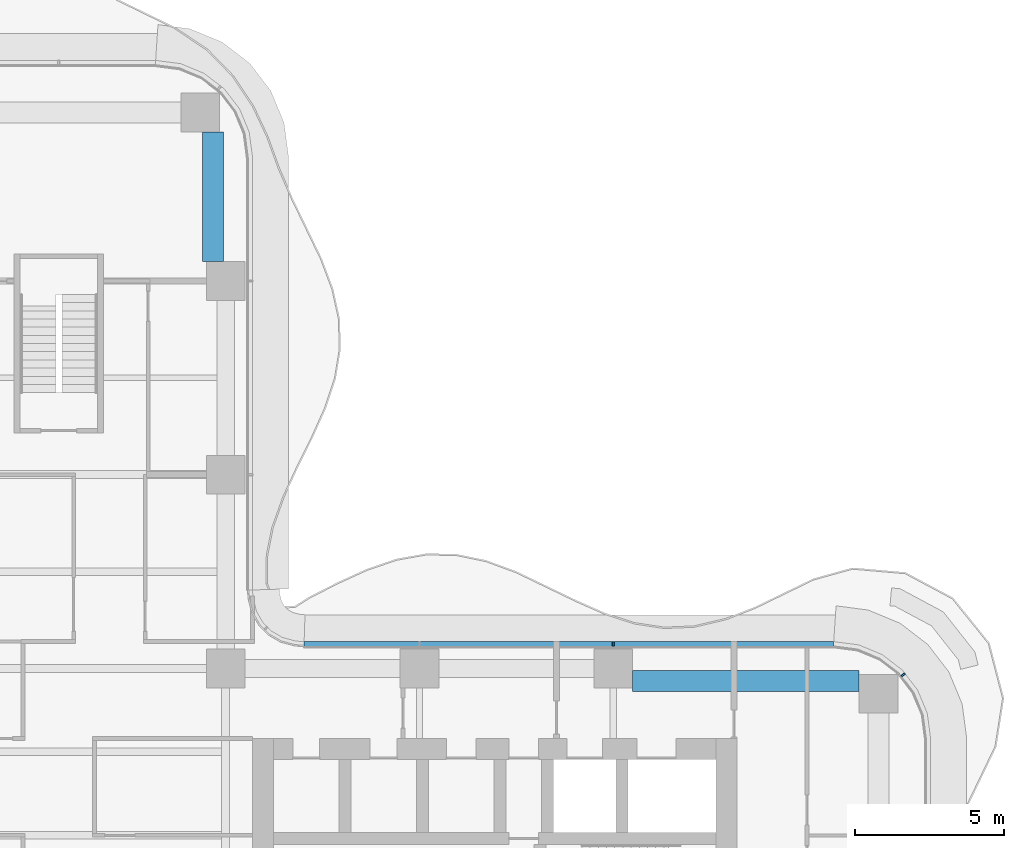
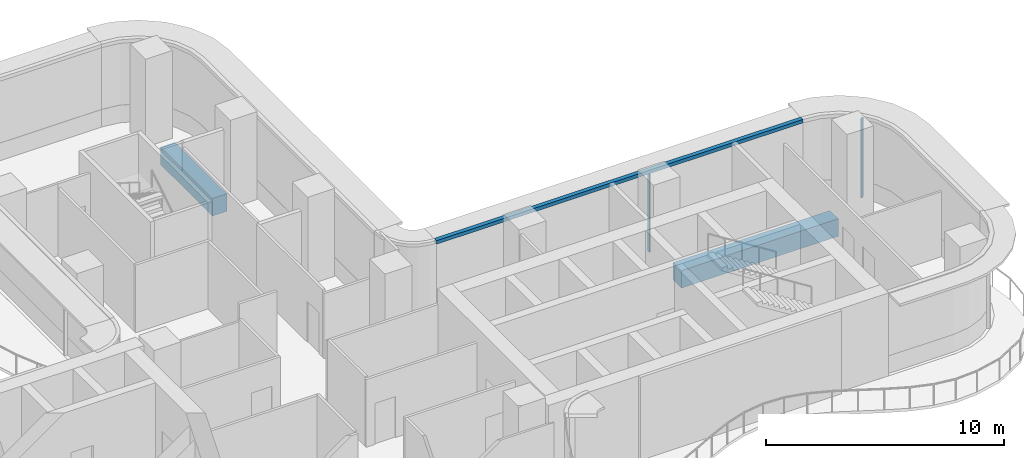
# One storey, part 11 of 21: 3 members, 2 beams, 2 elements without a shape of their own.
"""IFC4 building model written with IfcOpenShell, lengths in metres."""

import ifcopenshell
import ifcopenshell.guid

model = None  # the IFC model being written
_history = None  # IfcOwnerHistory: only IFC2X3 demands one
_inside = {}  # id of a spatial element -> (the spatial element, [elements in it])
_under = {}  # id of a project, library or spatial element -> (it, [spatial elements below it])
_declared = {}  # id of a project -> (the project, [libraries it declares])
_typed = {}  # id of a type object -> (the type object, [elements of that type])
_made_of = {}  # id of a material, layer set ... -> (it, [elements and type objects made of it])


def new_model(schema):
    """Start an empty IFC model of exactly this schema.

    Asked for "IFC4X3", IfcOpenShell would pick the latest addendum, in which some entities
    have other attributes; the version numbers below select the first issue.
    IFC2X3 requires an IfcOwnerHistory on every rooted entity: one is made here for all.
    """
    global model, _history
    if schema == "IFC4X3":
        model = ifcopenshell.file(schema_version=(4, 3, 0, 0))
    else:
        model = ifcopenshell.file(schema=schema)
    _inside.clear()
    _under.clear()
    _declared.clear()
    _typed.clear()
    _made_of.clear()
    _history = None
    if model.schema == "IFC2X3":
        org = make("IfcOrganization", Name="unknown")
        user = make(
            "IfcPersonAndOrganization",
            ThePerson=make("IfcPerson", FamilyName="unknown"),
            TheOrganization=org,
        )
        app = make(
            "IfcApplication",
            ApplicationDeveloper=org,
            Version="unknown",
            ApplicationFullName="unknown",
            ApplicationIdentifier="unknown",
        )
        _history = make(
            "IfcOwnerHistory",
            OwningUser=user,
            OwningApplication=app,
            ChangeAction="ADDED",
            CreationDate=0,
        )
    return model


def make(cls, **values):
    """One entity of the class cls with the attributes given. An attribute that is None is left unset."""
    return model.create_entity(
        cls, **{name: value for name, value in values.items() if value is not None}
    )


def rooted(cls, **values):
    """An entity with a GlobalId (a new one), such as an element, a storey or a relation."""
    return make(cls, GlobalId=ifcopenshell.guid.new(), OwnerHistory=_history, **values)


def si_unit(unit_type, name, prefix=None):
    """IfcSIUnit, for example si_unit("LENGTHUNIT", "METRE", prefix="MILLI")."""
    return make("IfcSIUnit", UnitType=unit_type, Prefix=prefix, Name=name)


def assignment(units):
    """IfcUnitAssignment: the units of a project."""
    return None if units is None else make("IfcUnitAssignment", Units=units)


def point(xyz):
    """IfcCartesianPoint."""
    return None if xyz is None else make("IfcCartesianPoint", Coordinates=xyz)


def direction(xyz):
    """IfcDirection."""
    return None if xyz is None else make("IfcDirection", DirectionRatios=xyz)


def frame(location, z_axis=None, x_axis=None):
    """IfcAxis2Placement3D, a coordinate frame: its origin and axes. An axis left out is left unset."""
    return make(
        "IfcAxis2Placement3D",
        Location=point(location),
        Axis=direction(z_axis),
        RefDirection=direction(x_axis),
    )


def frame_2d(location, x_axis=None):
    """IfcAxis2Placement2D, a coordinate frame in the plane: its origin and x axis."""
    return make(
        "IfcAxis2Placement2D", Location=point(location), RefDirection=direction(x_axis)
    )


def origin():
    """The frame at (0, 0, 0) with its axes left unset."""
    return frame((0.0, 0.0, 0.0))


def origin_2d():
    """The frame at (0, 0) in the plane with its x axis left unset."""
    return frame_2d((0.0, 0.0))


def place(relative_to, where):
    """IfcLocalPlacement: puts the frame where relative to a parent placement (None: the world)."""
    return make(
        "IfcLocalPlacement", PlacementRelTo=relative_to, RelativePlacement=where
    )


def context(
    kind, dimensions, precision=None, world=None, true_north=None, identifier=None
):
    """IfcGeometricRepresentationContext, for example the 3D "Model" context."""
    return make(
        "IfcGeometricRepresentationContext",
        ContextIdentifier=identifier,
        ContextType=kind,
        CoordinateSpaceDimension=dimensions,
        Precision=precision,
        WorldCoordinateSystem=world,
        TrueNorth=true_north,
    )


def subcontext(parent, identifier, kind, view, scale=None):
    """IfcGeometricRepresentationSubContext, for example "Body" below "Model"."""
    return make(
        "IfcGeometricRepresentationSubContext",
        ContextIdentifier=identifier,
        ContextType=kind,
        ParentContext=parent,
        TargetScale=scale,
        TargetView=view,
    )


def project(units=None, contexts=None):
    """IfcProject with its units and contexts."""
    return rooted(
        "IfcProject",
        Name="project",
        RepresentationContexts=contexts,
        UnitsInContext=assignment(units),
    )


def spatial(cls, under=None, at=None, **own):
    """A site, building, storey or space (cls), placed at a placement, below another one or the project."""
    s = rooted(cls, ObjectPlacement=at, **own)
    if under is not None:
        _under.setdefault(under.id(), (under, []))[1].append(s)
    return s


def polyline(points):
    """IfcPolyline through the points."""
    return make("IfcPolyline", Points=[point(p) for p in points])


def profile(cls, at=None, kind="AREA", **sizes):
    """A parametric profile (cls). Its sizes go by their IFC names, for example OverallWidth=200.0."""
    return make(cls, ProfileType=kind, Position=at, **sizes)


def rectangle(**sizes):
    """IfcRectangleProfileDef."""
    return profile("IfcRectangleProfileDef", **sizes)


def outline(outer, holes=None, kind="AREA"):
    """IfcArbitraryClosedProfileDef: a profile drawn as a closed curve; with holes, ...WithVoids."""
    if holes is None:
        return make("IfcArbitraryClosedProfileDef", ProfileType=kind, OuterCurve=outer)
    return make(
        "IfcArbitraryProfileDefWithVoids",
        ProfileType=kind,
        OuterCurve=outer,
        InnerCurves=holes,
    )


def extrude(swept, where, along, depth):
    """IfcExtrudedAreaSolid: the profile swept, set in the frame where, extruded along a direction by depth."""
    return make(
        "IfcExtrudedAreaSolid",
        SweptArea=swept,
        Position=where,
        ExtrudedDirection=direction(along),
        Depth=depth,
    )


def shape(context_of_items, identifier, shape_type, items):
    """IfcShapeRepresentation: the items that make up one representation, for example the "Body"."""
    return make(
        "IfcShapeRepresentation",
        ContextOfItems=context_of_items,
        RepresentationIdentifier=identifier,
        RepresentationType=shape_type,
        Items=items,
    )


def source(mapping_origin, context_of_items, identifier, shape_type, items):
    """IfcRepresentationMap: a shape defined once, which mapped items show again and again."""
    return make(
        "IfcRepresentationMap",
        MappingOrigin=mapping_origin,
        MappedRepresentation=shape(context_of_items, identifier, shape_type, items),
    )


def transform(
    local_origin,
    x_axis=None,
    y_axis=None,
    z_axis=None,
    scale=None,
    scale2=None,
    scale3=None,
    uniform=True,
):
    """IfcCartesianTransformationOperator3D, or its non-uniform kind. x_axis, y_axis, z_axis: its Axis1, 2, 3."""
    if uniform:
        return make(
            "IfcCartesianTransformationOperator3D",
            Axis1=direction(x_axis),
            Axis2=direction(y_axis),
            LocalOrigin=point(local_origin),
            Scale=scale,
            Axis3=direction(z_axis),
        )
    return make(
        "IfcCartesianTransformationOperator3DnonUniform",
        Axis1=direction(x_axis),
        Axis2=direction(y_axis),
        LocalOrigin=point(local_origin),
        Scale=scale,
        Axis3=direction(z_axis),
        Scale2=scale2,
        Scale3=scale3,
    )


def mapped(mapping_source, mapping_target):
    """IfcMappedItem: shows the shape of a source again, moved by a transform."""
    return make(
        "IfcMappedItem", MappingSource=mapping_source, MappingTarget=mapping_target
    )


def material(Name=None, Category=None):
    """IfcMaterial."""
    return make("IfcMaterial", Name=Name, Category=Category)


def layer(
    of_material, thickness, ventilated=None, Name=None, Category=None, Priority=None
):
    """IfcMaterialLayer: one layer of a wall or slab, of a material (None: an air gap)."""
    return make(
        "IfcMaterialLayer",
        Material=of_material,
        LayerThickness=thickness,
        IsVentilated=ventilated,
        Name=Name,
        Category=Category,
        Priority=Priority,
    )


def layer_set(layers, Name=None):
    """IfcMaterialLayerSet."""
    return make("IfcMaterialLayerSet", MaterialLayers=layers, LayerSetName=Name)


def material_profile(
    of_material, cross_section, Name=None, Category=None, Priority=None
):
    """IfcMaterialProfile: a cross section and its material."""
    return make(
        "IfcMaterialProfile",
        Name=Name,
        Material=of_material,
        Profile=cross_section,
        Priority=Priority,
        Category=Category,
    )


def profile_set(profiles, Name=None, composite=None):
    """IfcMaterialProfileSet."""
    return make(
        "IfcMaterialProfileSet",
        Name=Name,
        MaterialProfiles=profiles,
        CompositeProfile=composite,
    )


def made_of(thing, what):
    """Note that an element or type object is made of a material, layer set ...; save() writes the relation."""
    if what is not None:
        _made_of.setdefault(what.id(), (what, []))[1].append(thing)
    return thing


def type_object(cls, material=None, **own):
    """A type object (cls), such as IfcWallType, which elements share."""
    return made_of(rooted(cls, **own), material)


def element(
    cls,
    number,
    at=None,
    inside=None,
    cuts=None,
    type_object=None,
    material=None,
    context=None,
    identifier="Body",
    shape_type=None,
    held_by="IfcProductDefinitionShape",
    body=None,
    shapes=None,
    **own,
):
    """One element of the class cls, such as IfcWall. Its Tag is "e" and its number.

    at: its placement. inside: the storey or other place that contains it. cuts: it is an
    opening in that element (IfcRelVoidsElement). A single representation is given by context,
    identifier, shape_type and body (its items); several are given by shapes. held_by: the class
    of the entity that holds the representations. save() writes the other relations.
    """
    e = rooted(cls, Tag="e%d" % number, ObjectPlacement=at, **own)
    if body is not None:
        shapes = [shape(context, identifier, shape_type, body)]
    if shapes is not None:
        e.Representation = make(held_by, Representations=shapes)
    if inside is not None:
        _inside.setdefault(inside.id(), (inside, []))[1].append(e)
    if cuts is not None:
        rooted(
            "IfcRelVoidsElement", RelatingBuildingElement=cuts, RelatedOpeningElement=e
        )
    if type_object is not None:
        _typed.setdefault(type_object.id(), (type_object, []))[1].append(e)
    return made_of(e, material)


def aggregate(whole, parts):
    """IfcRelAggregates: a whole, such as a stair, and the parts it consists of."""
    return rooted("IfcRelAggregates", RelatingObject=whole, RelatedObjects=parts)


def save(model, path):
    """Write the relations noted so far, then the file.

    IfcRelAggregates (storeys below a building ...), IfcRelContainedInSpatialStructure (elements
    in a storey), IfcRelDefinesByType, IfcRelAssociatesMaterial and IfcRelDeclares: one each for
    every whole, place, type object, material and project.
    """
    for whole, parts in _under.values():
        aggregate(whole, parts)
    for where, things in _inside.values():
        rooted(
            "IfcRelContainedInSpatialStructure",
            RelatedElements=things,
            RelatingStructure=where,
        )
    for kind, things in _typed.values():
        rooted("IfcRelDefinesByType", RelatedObjects=things, RelatingType=kind)
    for what, things in _made_of.values():
        rooted("IfcRelAssociatesMaterial", RelatedObjects=things, RelatingMaterial=what)
    for by, libraries in _declared.values():
        rooted("IfcRelDeclares", RelatingContext=by, RelatedDefinitions=libraries)
    model.write(path)


model = new_model("IFC4")

# Units and contexts
model_context = context("Model", 3, precision=1e-05, world=origin(), true_north=direction((0.0, 1.0)))
body_context = subcontext(model_context, "Body", "Model", "MODEL_VIEW")
ifc_project = project(units=[si_unit("LENGTHUNIT", "METRE"), si_unit("AREAUNIT", "SQUARE_METRE"), si_unit("VOLUMEUNIT", "CUBIC_METRE"), si_unit("PLANEANGLEUNIT", "RADIAN"), si_unit("MASSUNIT", "GRAM", prefix="KILO")], contexts=[model_context])

# Site, building, storey
site_placement = place(None, origin())
site = spatial("IfcSite", under=ifc_project, at=site_placement, CompositionType="ELEMENT")
building_placement = place(site_placement, origin())
building = spatial("IfcBuilding", under=site, at=building_placement, Name="Trellis Farm Tower", CompositionType="ELEMENT")
storey_placement = place(building_placement, frame((0.0, 0.0, 102.0)))
storey = spatial("IfcBuildingStorey", under=building, at=storey_placement, Name="L21", CompositionType="ELEMENT", Elevation=102.0)

# Beams
ifc_material_1 = material(Name="Concrete C60/75", Category="concrete")
ifc_material_profile_1 = material_profile(ifc_material_1, rectangle(XDim=0.699951171875, YDim=0.89990234375, at=origin_2d()), Name="RC spandrel beam 700x900 C60/75")
ifc_profile_set_1 = profile_set([ifc_material_profile_1], Name="Concrete C60/75")
beam_type = type_object("IfcBeamType", Name="RC spandrel beam 700x900 C60/75", PredefinedType="SPANDREL", material=ifc_profile_set_1)
shared_shape_1 = source(origin(), body_context, "Body", "SweptSolid", [
    extrude(rectangle(XDim=0.699951171875, YDim=0.89990234375, at=origin_2d()), origin(), (0.0, 0.0, 1.0), 4.35009765625),
])
beam_1_placement = place(storey_placement, frame((5.175048828125, 19.25, -0.699951171875), z_axis=(0.0, 1.0, 0.0), x_axis=(-1.0, 0.0, 0.0)))
element("IfcBeam", 1, at=beam_1_placement, inside=storey, type_object=beam_type, Name="Girder", PredefinedType="SPANDREL", context=body_context, shape_type="MappedRepresentation", body=[
    mapped(shared_shape_1, transform((0.0, 0.0, 0.0))),
])
shared_shape_2 = source(origin(), body_context, "Body", "SweptSolid", [
    extrude(rectangle(XDim=0.699951171875, YDim=0.89990234375, at=origin_2d()), origin(), (0.0, 0.0, 1.0), 7.60009765625),
])
beam_2_placement = place(storey_placement, frame((19.25, 5.175048828125, -0.699951171875), z_axis=(1.0, 0.0, 0.0), x_axis=(0.0, 1.0, 0.0)))
element("IfcBeam", 2, at=beam_2_placement, inside=storey, type_object=beam_type, Name="Girder", PredefinedType="SPANDREL", context=body_context, shape_type="MappedRepresentation", body=[
    mapped(shared_shape_2, transform((0.0, 0.0, 0.0))),
])

# Curtain wall, member
ifc_material_2 = material(Name="Aluminium and glass curtain wall", Category="aluminium")
ifc_layer_1 = layer(ifc_material_2, 0.18994140625)
ifc_layer_set_1 = layer_set([ifc_layer_1], Name="RIBBON CURTAIN WALL CW1")
curtain_wall_type = type_object("IfcCurtainWallType", Name="RIBBON CURTAIN WALL CW1", PredefinedType="NOTDEFINED", material=ifc_layer_set_1)
placement = place(storey_placement, origin())
curtain_wall_1 = element("IfcCurtainWall", 3, at=placement, inside=storey, type_object=curtain_wall_type, Name="CW1 007", PredefinedType="NOTDEFINED")
ifc_material_3 = material(Name="Aluminium extrusion 6063-T6", Category="aluminium")
ifc_material_profile_2 = material_profile(ifc_material_3, rectangle(XDim=0.06005859375, YDim=0.14990234375, at=origin_2d()), Name="MULLION 60x150")
ifc_profile_set_2 = profile_set([ifc_material_profile_2], Name="Aluminium extrusion 6063-T6")
member_type_1 = type_object("IfcMemberType", Name="CW1 MULLION 60x150", PredefinedType="MULLION", material=ifc_profile_set_2)
shared_shape_3 = source(origin(), body_context, "Body", "SweptSolid", [
    extrude(rectangle(XDim=0.06005859375, YDim=0.14990234375, at=origin_2d()), origin(), (0.0, 0.0, 1.0), 4.070068359375),
])
member_1_placement = place(storey_placement, frame((28.328369140625, 5.385498046875, 0.0), z_axis=(0.0, 0.0, 1.0), x_axis=(-0.608761429009, 0.793353340291, 0.0)))
member_1 = element("IfcMember", 4, at=member_1_placement, type_object=member_type_1, Name="MU1 007-02", PredefinedType="MULLION", context=body_context, shape_type="MappedRepresentation", body=[
    mapped(shared_shape_3, transform((0.0, 0.0, 0.0))),
])
aggregate(curtain_wall_1, [member_1])

# Curtain wall, members
curtain_wall_2 = element("IfcCurtainWall", 5, at=placement, inside=storey, type_object=curtain_wall_type, Name="CW1 008", PredefinedType="NOTDEFINED")
member_2_placement = place(storey_placement, frame((18.60009765625, 6.425048828125, 0.0), z_axis=(0.0, 0.0, 1.0), x_axis=(-1.0, 0.0, 0.0)))
member_2 = element("IfcMember", 6, at=member_2_placement, type_object=member_type_1, Name="MU1 008-01", PredefinedType="MULLION", context=body_context, shape_type="MappedRepresentation", body=[
    mapped(shared_shape_3, transform((0.0, 0.0, 0.0))),
])
ifc_layer_2 = layer(ifc_material_3, 0.199951171875)
ifc_layer_set_2 = layer_set([ifc_layer_2], Name="Aluminium extrusion 6063-T6")
member_type_2 = type_object("IfcMemberType", Name="CW1 TRANSOM 200x180", PredefinedType="USERDEFINED", material=ifc_layer_set_2)
shared_shape_4 = source(origin(), body_context, "Body", "SweptSolid", [
    extrude(outline(polyline([(26.0, 6.5), (8.2314453125, 6.5), (8.224853515625, 6.300048828125), (25.98681640625, 6.300048828125), (26.0, 6.5)])), origin(), (0.0, 0.0, 1.0), 0.179931640625),
])
member_3_placement = place(storey_placement, frame((0.0, 0.0, 4.070068359375)))
member_3 = element("IfcMember", 7, at=member_3_placement, type_object=member_type_2, Name="TR1 008", ObjectType="TRANSOM", PredefinedType="USERDEFINED", context=body_context, shape_type="MappedRepresentation", body=[
    mapped(shared_shape_4, transform((0.0, 0.0, 0.0))),
])
aggregate(curtain_wall_2, [member_2, member_3])

save(model, "model.ifc")
